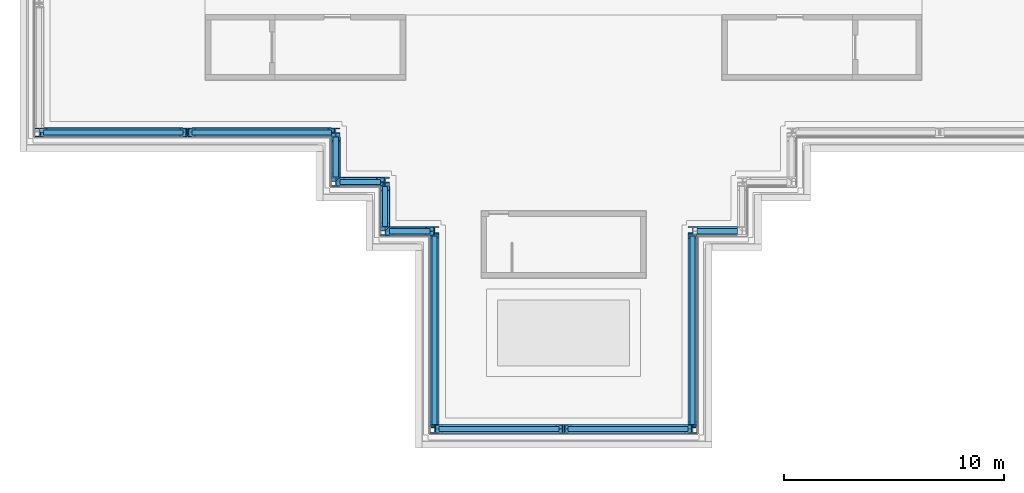
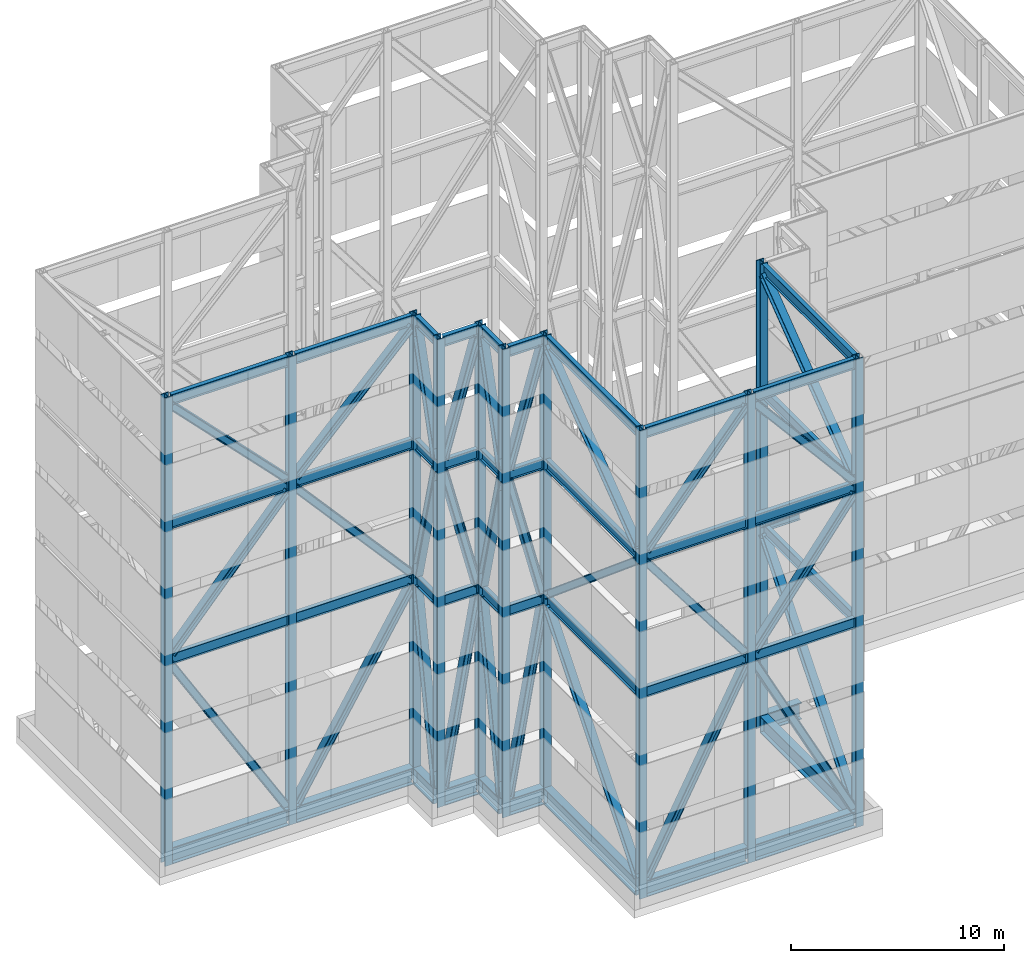
# One storey, part 1 of 19: 84 members.
"""IFC4 building model written with IfcOpenShell, lengths in metres."""

import ifcopenshell
import ifcopenshell.guid

model = None  # the IFC model being written
_history = None  # IfcOwnerHistory: only IFC2X3 demands one
_inside = {}  # id of a spatial element -> (the spatial element, [elements in it])
_under = {}  # id of a project, library or spatial element -> (it, [spatial elements below it])
_declared = {}  # id of a project -> (the project, [libraries it declares])
_typed = {}  # id of a type object -> (the type object, [elements of that type])
_made_of = {}  # id of a material, layer set ... -> (it, [elements and type objects made of it])


def new_model(schema):
    """Start an empty IFC model of exactly this schema.

    Asked for "IFC4X3", IfcOpenShell would pick the latest addendum, in which some entities
    have other attributes; the version numbers below select the first issue.
    IFC2X3 requires an IfcOwnerHistory on every rooted entity: one is made here for all.
    """
    global model, _history
    if schema == "IFC4X3":
        model = ifcopenshell.file(schema_version=(4, 3, 0, 0))
    else:
        model = ifcopenshell.file(schema=schema)
    _inside.clear()
    _under.clear()
    _declared.clear()
    _typed.clear()
    _made_of.clear()
    _history = None
    if model.schema == "IFC2X3":
        org = make("IfcOrganization", Name="unknown")
        user = make(
            "IfcPersonAndOrganization",
            ThePerson=make("IfcPerson", FamilyName="unknown"),
            TheOrganization=org,
        )
        app = make(
            "IfcApplication",
            ApplicationDeveloper=org,
            Version="unknown",
            ApplicationFullName="unknown",
            ApplicationIdentifier="unknown",
        )
        _history = make(
            "IfcOwnerHistory",
            OwningUser=user,
            OwningApplication=app,
            ChangeAction="ADDED",
            CreationDate=0,
        )
    return model


def make(cls, **values):
    """One entity of the class cls with the attributes given. An attribute that is None is left unset."""
    return model.create_entity(
        cls, **{name: value for name, value in values.items() if value is not None}
    )


def rooted(cls, **values):
    """An entity with a GlobalId (a new one), such as an element, a storey or a relation."""
    return make(cls, GlobalId=ifcopenshell.guid.new(), OwnerHistory=_history, **values)


def si_unit(unit_type, name, prefix=None):
    """IfcSIUnit, for example si_unit("LENGTHUNIT", "METRE", prefix="MILLI")."""
    return make("IfcSIUnit", UnitType=unit_type, Prefix=prefix, Name=name)


def assignment(units):
    """IfcUnitAssignment: the units of a project."""
    return None if units is None else make("IfcUnitAssignment", Units=units)


def point(xyz):
    """IfcCartesianPoint."""
    return None if xyz is None else make("IfcCartesianPoint", Coordinates=xyz)


def direction(xyz):
    """IfcDirection."""
    return None if xyz is None else make("IfcDirection", DirectionRatios=xyz)


def frame(location, z_axis=None, x_axis=None):
    """IfcAxis2Placement3D, a coordinate frame: its origin and axes. An axis left out is left unset."""
    return make(
        "IfcAxis2Placement3D",
        Location=point(location),
        Axis=direction(z_axis),
        RefDirection=direction(x_axis),
    )


def frame_2d(location, x_axis=None):
    """IfcAxis2Placement2D, a coordinate frame in the plane: its origin and x axis."""
    return make(
        "IfcAxis2Placement2D", Location=point(location), RefDirection=direction(x_axis)
    )


def origin():
    """The frame at (0, 0, 0) with its axes left unset."""
    return frame((0.0, 0.0, 0.0))


def origin_2d():
    """The frame at (0, 0) in the plane with its x axis left unset."""
    return frame_2d((0.0, 0.0))


def place(relative_to, where):
    """IfcLocalPlacement: puts the frame where relative to a parent placement (None: the world)."""
    return make(
        "IfcLocalPlacement", PlacementRelTo=relative_to, RelativePlacement=where
    )


def context(
    kind, dimensions, precision=None, world=None, true_north=None, identifier=None
):
    """IfcGeometricRepresentationContext, for example the 3D "Model" context."""
    return make(
        "IfcGeometricRepresentationContext",
        ContextIdentifier=identifier,
        ContextType=kind,
        CoordinateSpaceDimension=dimensions,
        Precision=precision,
        WorldCoordinateSystem=world,
        TrueNorth=true_north,
    )


def subcontext(parent, identifier, kind, view, scale=None):
    """IfcGeometricRepresentationSubContext, for example "Body" below "Model"."""
    return make(
        "IfcGeometricRepresentationSubContext",
        ContextIdentifier=identifier,
        ContextType=kind,
        ParentContext=parent,
        TargetScale=scale,
        TargetView=view,
    )


def project(units=None, contexts=None):
    """IfcProject with its units and contexts."""
    return rooted(
        "IfcProject",
        Name="project",
        RepresentationContexts=contexts,
        UnitsInContext=assignment(units),
    )


def spatial(cls, under=None, at=None, **own):
    """A site, building, storey or space (cls), placed at a placement, below another one or the project."""
    s = rooted(cls, ObjectPlacement=at, **own)
    if under is not None:
        _under.setdefault(under.id(), (under, []))[1].append(s)
    return s


def profile(cls, at=None, kind="AREA", **sizes):
    """A parametric profile (cls). Its sizes go by their IFC names, for example OverallWidth=200.0."""
    return make(cls, ProfileType=kind, Position=at, **sizes)


def i_section(**sizes):
    """IfcIShapeProfileDef."""
    return profile("IfcIShapeProfileDef", **sizes)


def extrude(swept, where, along, depth):
    """IfcExtrudedAreaSolid: the profile swept, set in the frame where, extruded along a direction by depth."""
    return make(
        "IfcExtrudedAreaSolid",
        SweptArea=swept,
        Position=where,
        ExtrudedDirection=direction(along),
        Depth=depth,
    )


def shape(context_of_items, identifier, shape_type, items):
    """IfcShapeRepresentation: the items that make up one representation, for example the "Body"."""
    return make(
        "IfcShapeRepresentation",
        ContextOfItems=context_of_items,
        RepresentationIdentifier=identifier,
        RepresentationType=shape_type,
        Items=items,
    )


def material(Name=None, Category=None):
    """IfcMaterial."""
    return make("IfcMaterial", Name=Name, Category=Category)


def material_profile(
    of_material, cross_section, Name=None, Category=None, Priority=None
):
    """IfcMaterialProfile: a cross section and its material."""
    return make(
        "IfcMaterialProfile",
        Name=Name,
        Material=of_material,
        Profile=cross_section,
        Priority=Priority,
        Category=Category,
    )


def profile_set(profiles, Name=None, composite=None):
    """IfcMaterialProfileSet."""
    return make(
        "IfcMaterialProfileSet",
        Name=Name,
        MaterialProfiles=profiles,
        CompositeProfile=composite,
    )


def made_of(thing, what):
    """Note that an element or type object is made of a material, layer set ...; save() writes the relation."""
    if what is not None:
        _made_of.setdefault(what.id(), (what, []))[1].append(thing)
    return thing


def type_object(cls, material=None, **own):
    """A type object (cls), such as IfcWallType, which elements share."""
    return made_of(rooted(cls, **own), material)


def element(
    cls,
    number,
    at=None,
    inside=None,
    cuts=None,
    type_object=None,
    material=None,
    context=None,
    identifier="Body",
    shape_type=None,
    held_by="IfcProductDefinitionShape",
    body=None,
    shapes=None,
    **own,
):
    """One element of the class cls, such as IfcWall. Its Tag is "e" and its number.

    at: its placement. inside: the storey or other place that contains it. cuts: it is an
    opening in that element (IfcRelVoidsElement). A single representation is given by context,
    identifier, shape_type and body (its items); several are given by shapes. held_by: the class
    of the entity that holds the representations. save() writes the other relations.
    """
    e = rooted(cls, Tag="e%d" % number, ObjectPlacement=at, **own)
    if body is not None:
        shapes = [shape(context, identifier, shape_type, body)]
    if shapes is not None:
        e.Representation = make(held_by, Representations=shapes)
    if inside is not None:
        _inside.setdefault(inside.id(), (inside, []))[1].append(e)
    if cuts is not None:
        rooted(
            "IfcRelVoidsElement", RelatingBuildingElement=cuts, RelatedOpeningElement=e
        )
    if type_object is not None:
        _typed.setdefault(type_object.id(), (type_object, []))[1].append(e)
    return made_of(e, material)


def aggregate(whole, parts):
    """IfcRelAggregates: a whole, such as a stair, and the parts it consists of."""
    return rooted("IfcRelAggregates", RelatingObject=whole, RelatedObjects=parts)


def save(model, path):
    """Write the relations noted so far, then the file.

    IfcRelAggregates (storeys below a building ...), IfcRelContainedInSpatialStructure (elements
    in a storey), IfcRelDefinesByType, IfcRelAssociatesMaterial and IfcRelDeclares: one each for
    every whole, place, type object, material and project.
    """
    for whole, parts in _under.values():
        aggregate(whole, parts)
    for where, things in _inside.values():
        rooted(
            "IfcRelContainedInSpatialStructure",
            RelatedElements=things,
            RelatingStructure=where,
        )
    for kind, things in _typed.values():
        rooted("IfcRelDefinesByType", RelatedObjects=things, RelatingType=kind)
    for what, things in _made_of.values():
        rooted("IfcRelAssociatesMaterial", RelatedObjects=things, RelatingMaterial=what)
    for by, libraries in _declared.values():
        rooted("IfcRelDeclares", RelatingContext=by, RelatedDefinitions=libraries)
    model.write(path)


model = new_model("IFC4")

# Units and contexts
model_context = context("Model", 3, precision=1e-05, world=origin(), true_north=direction((0.0, 1.0)))
body_context = subcontext(model_context, "Body", "Model", "MODEL_VIEW")
ifc_project = project(units=[si_unit("LENGTHUNIT", "METRE"), si_unit("AREAUNIT", "SQUARE_METRE"), si_unit("VOLUMEUNIT", "CUBIC_METRE"), si_unit("PLANEANGLEUNIT", "RADIAN"), si_unit("MASSUNIT", "GRAM", prefix="KILO")], contexts=[model_context])

# Site, building, storey
site_placement = place(None, origin())
site = spatial("IfcSite", under=ifc_project, at=site_placement, CompositionType="ELEMENT")
building_placement = place(site_placement, origin())
building = spatial("IfcBuilding", under=site, at=building_placement, Name="Shamsa Quay Exchange Towers", CompositionType="ELEMENT")
storey_placement = place(building_placement, frame((0.0, 0.0, 284.300048828125)))
storey = spatial("IfcBuildingStorey", under=building, at=storey_placement, Name="Roof", CompositionType="ELEMENT", Elevation=284.300048828125)

# Members
ifc_material = material(Name="Steel S355", Category="steel")
ifc_material_profile_1 = material_profile(ifc_material, i_section(OverallWidth=0.423095703125, OverallDepth=0.947265625, WebThickness=0.02392578125, FlangeThickness=0.042724609375, at=origin_2d()), Name="W36x302")
ifc_profile_set_1 = profile_set([ifc_material_profile_1], Name="Steel S355")
member_type_1 = type_object("IfcMemberType", Name="Crown frame base ring girder W36x302", PredefinedType="USERDEFINED", material=ifc_profile_set_1)
for number, where, z_axis, x_axis, name in (
    (1, (-39.421875, -19.375, 0.4736328125), (1.0, 0.0, 0.0), (0.0, 1.0, 0.0), "Crown frame base ring girder T1"),
    (2, (-33.546875, -19.375, 0.4736328125), (1.0, 0.0, 0.0), (0.0, 1.0, 0.0), "Crown frame base ring girder T1"),
):
    element("IfcMember", number, at=place(storey_placement, frame(where, z_axis=z_axis, x_axis=x_axis)), inside=storey, type_object=member_type_1, Name=name, ObjectType="CROWN FRAME", PredefinedType="USERDEFINED", context=body_context, shape_type="SweptSolid", body=[
        extrude(i_section(OverallWidth=0.423095703125, OverallDepth=0.947265625, WebThickness=0.02392578125, FlangeThickness=0.042724609375, at=origin_2d()), origin(), (0.0, 0.0, 1.0), 5.46875),
    ])
member_1_placement = place(storey_placement, frame((-27.875, -19.1669921875, 0.4736328125), z_axis=(0.0, 1.0, 0.0), x_axis=(-1.0, 0.0, 0.0)))
element("IfcMember", 3, at=member_1_placement, inside=storey, type_object=member_type_1, Name="Crown frame base ring girder T1", ObjectType="CROWN FRAME", PredefinedType="USERDEFINED", context=body_context, shape_type="SweptSolid", body=[
    extrude(i_section(OverallWidth=0.423095703125, OverallDepth=0.947265625, WebThickness=0.02392578125, FlangeThickness=0.042724609375, at=origin_2d()), origin(), (0.0, 0.0, 1.0), 8.583984375),
])
member_2_placement = place(storey_placement, frame((-27.671875, -10.375, 0.4736328125), z_axis=(1.0, 0.0, 0.0), x_axis=(0.0, 1.0, 0.0)))
element("IfcMember", 4, at=member_2_placement, inside=storey, type_object=member_type_1, Name="Crown frame base ring girder T1", ObjectType="CROWN FRAME", PredefinedType="USERDEFINED", context=body_context, shape_type="SweptSolid", body=[
    extrude(i_section(OverallWidth=0.423095703125, OverallDepth=0.947265625, WebThickness=0.02392578125, FlangeThickness=0.042724609375, at=origin_2d()), origin(), (0.0, 0.0, 1.0), 1.84375),
])
for number, where, z_axis, x_axis, name in (
    (5, (-57.421875, -5.875, 0.4736328125), (1.0, 0.0, 0.0), (0.0, 1.0, 0.0), "Crown frame base ring girder T1"),
    (6, (-50.671875, -5.875, 0.4736328125), (1.0, 0.0, 0.0), (0.0, 1.0, 0.0), "Crown frame base ring girder T1"),
):
    element("IfcMember", number, at=place(storey_placement, frame(where, z_axis=z_axis, x_axis=x_axis)), inside=storey, type_object=member_type_1, Name=name, ObjectType="CROWN FRAME", PredefinedType="USERDEFINED", context=body_context, shape_type="SweptSolid", body=[
        extrude(i_section(OverallWidth=0.423095703125, OverallDepth=0.947265625, WebThickness=0.02392578125, FlangeThickness=0.042724609375, at=origin_2d()), origin(), (0.0, 0.0, 1.0), 6.34375),
    ])
member_3_placement = place(storey_placement, frame((-44.125, -6.0830078125, 0.4736328125), z_axis=(0.0, -1.0, 0.0), x_axis=(1.0, 0.0, 0.0)))
element("IfcMember", 7, at=member_3_placement, inside=storey, type_object=member_type_1, Name="Crown frame base ring girder T1", ObjectType="CROWN FRAME", PredefinedType="USERDEFINED", context=body_context, shape_type="SweptSolid", body=[
    extrude(i_section(OverallWidth=0.423095703125, OverallDepth=0.947265625, WebThickness=0.02392578125, FlangeThickness=0.042724609375, at=origin_2d()), origin(), (0.0, 0.0, 1.0), 1.833984375),
])
member_4_placement = place(storey_placement, frame((-43.921875, -8.125, 0.4736328125), z_axis=(1.0, 0.0, 0.0), x_axis=(0.0, 1.0, 0.0)))
element("IfcMember", 8, at=member_4_placement, inside=storey, type_object=member_type_1, Name="Crown frame base ring girder T1", ObjectType="CROWN FRAME", PredefinedType="USERDEFINED", context=body_context, shape_type="SweptSolid", body=[
    extrude(i_section(OverallWidth=0.423095703125, OverallDepth=0.947265625, WebThickness=0.02392578125, FlangeThickness=0.042724609375, at=origin_2d()), origin(), (0.0, 0.0, 1.0), 1.84375),
])
member_5_placement = place(storey_placement, frame((-41.875, -8.3330078125, 0.4736328125), z_axis=(0.0, -1.0, 0.0), x_axis=(1.0, 0.0, 0.0)))
element("IfcMember", 9, at=member_5_placement, inside=storey, type_object=member_type_1, Name="Crown frame base ring girder T1", ObjectType="CROWN FRAME", PredefinedType="USERDEFINED", context=body_context, shape_type="SweptSolid", body=[
    extrude(i_section(OverallWidth=0.423095703125, OverallDepth=0.947265625, WebThickness=0.02392578125, FlangeThickness=0.042724609375, at=origin_2d()), origin(), (0.0, 0.0, 1.0), 1.833984375),
])
member_6_placement = place(storey_placement, frame((-41.671875, -10.375, 0.4736328125), z_axis=(1.0, 0.0, 0.0), x_axis=(0.0, 1.0, 0.0)))
element("IfcMember", 10, at=member_6_placement, inside=storey, type_object=member_type_1, Name="Crown frame base ring girder T1", ObjectType="CROWN FRAME", PredefinedType="USERDEFINED", context=body_context, shape_type="SweptSolid", body=[
    extrude(i_section(OverallWidth=0.423095703125, OverallDepth=0.947265625, WebThickness=0.02392578125, FlangeThickness=0.042724609375, at=origin_2d()), origin(), (0.0, 0.0, 1.0), 1.84375),
])
member_7_placement = place(storey_placement, frame((-39.625, -10.5830078125, 0.4736328125), z_axis=(0.0, -1.0, 0.0), x_axis=(1.0, 0.0, 0.0)))
element("IfcMember", 11, at=member_7_placement, inside=storey, type_object=member_type_1, Name="Crown frame base ring girder T1", ObjectType="CROWN FRAME", PredefinedType="USERDEFINED", context=body_context, shape_type="SweptSolid", body=[
    extrude(i_section(OverallWidth=0.423095703125, OverallDepth=0.947265625, WebThickness=0.02392578125, FlangeThickness=0.042724609375, at=origin_2d()), origin(), (0.0, 0.0, 1.0), 8.583984375),
])
ifc_material_profile_2 = material_profile(ifc_material, i_section(OverallWidth=0.403564453125, OverallDepth=0.407470703125, WebThickness=0.027099609375, FlangeThickness=0.043701171875, at=origin_2d()), Name="W14x233")
ifc_profile_set_2 = profile_set([ifc_material_profile_2], Name="Steel S355")
member_type_2 = type_object("IfcMemberType", Name="Crown frame brace W14x233", PredefinedType="USERDEFINED", material=ifc_profile_set_2)
member_8_placement = place(storey_placement, frame((-39.421875, -19.375, 0.947265625), z_axis=(0.46379112615, 0.0, 0.885944575752), x_axis=(0.0, 1.0, 0.0)))
element("IfcMember", 12, at=member_8_placement, inside=storey, type_object=member_type_2, Name="Crown frame brace T1", ObjectType="CROWN FRAME", PredefinedType="USERDEFINED", context=body_context, shape_type="SweptSolid", body=[
    extrude(i_section(OverallWidth=0.403564453125, OverallDepth=0.407470703125, WebThickness=0.027099609375, FlangeThickness=0.043701171875, at=origin_2d()), origin(), (0.0, 0.0, 1.0), 11.79150390625),
])
member_9_placement = place(storey_placement, frame((-39.421875, -19.375, 19.19384765625), z_axis=(0.605508806079, 0.0, -0.795838605347), x_axis=(0.0, 1.0, 0.0)))
element("IfcMember", 13, at=member_9_placement, inside=storey, type_object=member_type_2, Name="Crown frame brace T1", ObjectType="CROWN FRAME", PredefinedType="USERDEFINED", context=body_context, shape_type="SweptSolid", body=[
    extrude(i_section(OverallWidth=0.403564453125, OverallDepth=0.407470703125, WebThickness=0.027099609375, FlangeThickness=0.043701171875, at=origin_2d()), origin(), (0.0, 0.0, 1.0), 9.03173828125),
])
member_10_placement = place(storey_placement, frame((-39.421875, -19.375, 19.805908203125), z_axis=(0.644844663681, 0.0, 0.764313652712), x_axis=(0.0, 1.0, 0.0)))
element("IfcMember", 14, at=member_10_placement, inside=storey, type_object=member_type_2, Name="Crown frame brace T1", ObjectType="CROWN FRAME", PredefinedType="USERDEFINED", context=body_context, shape_type="SweptSolid", body=[
    extrude(i_section(OverallWidth=0.403564453125, OverallDepth=0.407470703125, WebThickness=0.027099609375, FlangeThickness=0.043701171875, at=origin_2d()), origin(), (0.0, 0.0, 1.0), 8.480712890625),
])
member_11_placement = place(storey_placement, frame((-33.546875, -19.375, 11.393798828125), z_axis=(0.46379112615, 0.0, -0.885944575752), x_axis=(0.0, 1.0, 0.0)))
element("IfcMember", 15, at=member_11_placement, inside=storey, type_object=member_type_2, Name="Crown frame brace T1", ObjectType="CROWN FRAME", PredefinedType="USERDEFINED", context=body_context, shape_type="SweptSolid", body=[
    extrude(i_section(OverallWidth=0.403564453125, OverallDepth=0.407470703125, WebThickness=0.027099609375, FlangeThickness=0.043701171875, at=origin_2d()), origin(), (0.0, 0.0, 1.0), 11.79150390625),
])
member_12_placement = place(storey_placement, frame((-33.546875, -19.375, 12.006103515625), z_axis=(0.605508806079, 0.0, 0.795838605347), x_axis=(0.0, 1.0, 0.0)))
element("IfcMember", 16, at=member_12_placement, inside=storey, type_object=member_type_2, Name="Crown frame brace T1", ObjectType="CROWN FRAME", PredefinedType="USERDEFINED", context=body_context, shape_type="SweptSolid", body=[
    extrude(i_section(OverallWidth=0.403564453125, OverallDepth=0.407470703125, WebThickness=0.027099609375, FlangeThickness=0.043701171875, at=origin_2d()), origin(), (0.0, 0.0, 1.0), 9.03173828125),
])
member_13_placement = place(storey_placement, frame((-33.546875, -19.375, 26.287841796875), z_axis=(0.644844663681, 0.0, -0.764313652712), x_axis=(0.0, 1.0, 0.0)))
element("IfcMember", 17, at=member_13_placement, inside=storey, type_object=member_type_2, Name="Crown frame brace T1", ObjectType="CROWN FRAME", PredefinedType="USERDEFINED", context=body_context, shape_type="SweptSolid", body=[
    extrude(i_section(OverallWidth=0.403564453125, OverallDepth=0.407470703125, WebThickness=0.027099609375, FlangeThickness=0.043701171875, at=origin_2d()), origin(), (0.0, 0.0, 1.0), 8.480712890625),
])
member_14_placement = place(storey_placement, frame((-27.875, -19.1669921875, 0.947265625), z_axis=(0.0, 0.634867639372, 0.772620916413), x_axis=(-1.0, 0.0, 0.0)))
element("IfcMember", 18, at=member_14_placement, inside=storey, type_object=member_type_2, Name="Crown frame brace T1", ObjectType="CROWN FRAME", PredefinedType="USERDEFINED", context=body_context, shape_type="SweptSolid", body=[
    extrude(i_section(OverallWidth=0.403564453125, OverallDepth=0.407470703125, WebThickness=0.027099609375, FlangeThickness=0.043701171875, at=origin_2d()), origin(), (0.0, 0.0, 1.0), 13.52099609375),
])
member_15_placement = place(storey_placement, frame((-27.875, -19.1669921875, 19.19384765625), z_axis=(0.0, 0.766706999724, -0.641997178011), x_axis=(-1.0, 0.0, 0.0)))
element("IfcMember", 19, at=member_15_placement, inside=storey, type_object=member_type_2, Name="Crown frame brace T1", ObjectType="CROWN FRAME", PredefinedType="USERDEFINED", context=body_context, shape_type="SweptSolid", body=[
    extrude(i_section(OverallWidth=0.403564453125, OverallDepth=0.407470703125, WebThickness=0.027099609375, FlangeThickness=0.043701171875, at=origin_2d()), origin(), (0.0, 0.0, 1.0), 11.19580078125),
])
member_16_placement = place(storey_placement, frame((-27.875, -19.1669921875, 19.805908203125), z_axis=(0.0, 0.798034686142, 0.602611516413), x_axis=(-1.0, 0.0, 0.0)))
element("IfcMember", 20, at=member_16_placement, inside=storey, type_object=member_type_2, Name="Crown frame brace T1", ObjectType="CROWN FRAME", PredefinedType="USERDEFINED", context=body_context, shape_type="SweptSolid", body=[
    extrude(i_section(OverallWidth=0.403564453125, OverallDepth=0.407470703125, WebThickness=0.027099609375, FlangeThickness=0.043701171875, at=origin_2d()), origin(), (0.0, 0.0, 1.0), 10.75634765625),
])
member_17_placement = place(storey_placement, frame((-57.421875, -5.875, 11.393798828125), z_axis=(0.519050588784, 0.0, -0.854743520761), x_axis=(0.0, 1.0, 0.0)))
element("IfcMember", 21, at=member_17_placement, inside=storey, type_object=member_type_2, Name="Crown frame brace T1", ObjectType="CROWN FRAME", PredefinedType="USERDEFINED", context=body_context, shape_type="SweptSolid", body=[
    extrude(i_section(OverallWidth=0.403564453125, OverallDepth=0.407470703125, WebThickness=0.027099609375, FlangeThickness=0.043701171875, at=origin_2d()), origin(), (0.0, 0.0, 1.0), 12.221923828125),
])
member_18_placement = place(storey_placement, frame((-57.421875, -5.875, 12.006103515625), z_axis=(0.661716808405, 0.0, 0.74975386993), x_axis=(0.0, 1.0, 0.0)))
element("IfcMember", 22, at=member_18_placement, inside=storey, type_object=member_type_2, Name="Crown frame brace T1", ObjectType="CROWN FRAME", PredefinedType="USERDEFINED", context=body_context, shape_type="SweptSolid", body=[
    extrude(i_section(OverallWidth=0.403564453125, OverallDepth=0.407470703125, WebThickness=0.027099609375, FlangeThickness=0.043701171875, at=origin_2d()), origin(), (0.0, 0.0, 1.0), 9.5869140625),
])
member_19_placement = place(storey_placement, frame((-57.421875, -5.875, 26.287841796875), z_axis=(0.699447836177, 0.0, -0.714683653421), x_axis=(0.0, 1.0, 0.0)))
element("IfcMember", 23, at=member_19_placement, inside=storey, type_object=member_type_2, Name="Crown frame brace T1", ObjectType="CROWN FRAME", PredefinedType="USERDEFINED", context=body_context, shape_type="SweptSolid", body=[
    extrude(i_section(OverallWidth=0.403564453125, OverallDepth=0.407470703125, WebThickness=0.027099609375, FlangeThickness=0.043701171875, at=origin_2d()), origin(), (0.0, 0.0, 1.0), 9.069580078125),
])
member_20_placement = place(storey_placement, frame((-50.671875, -5.875, 0.947265625), z_axis=(0.519050588784, 0.0, 0.854743520761), x_axis=(0.0, 1.0, 0.0)))
element("IfcMember", 24, at=member_20_placement, inside=storey, type_object=member_type_2, Name="Crown frame brace T1", ObjectType="CROWN FRAME", PredefinedType="USERDEFINED", context=body_context, shape_type="SweptSolid", body=[
    extrude(i_section(OverallWidth=0.403564453125, OverallDepth=0.407470703125, WebThickness=0.027099609375, FlangeThickness=0.043701171875, at=origin_2d()), origin(), (0.0, 0.0, 1.0), 12.221923828125),
])
member_21_placement = place(storey_placement, frame((-50.671875, -5.875, 19.19384765625), z_axis=(0.661716808405, 0.0, -0.74975386993), x_axis=(0.0, 1.0, 0.0)))
element("IfcMember", 25, at=member_21_placement, inside=storey, type_object=member_type_2, Name="Crown frame brace T1", ObjectType="CROWN FRAME", PredefinedType="USERDEFINED", context=body_context, shape_type="SweptSolid", body=[
    extrude(i_section(OverallWidth=0.403564453125, OverallDepth=0.407470703125, WebThickness=0.027099609375, FlangeThickness=0.043701171875, at=origin_2d()), origin(), (0.0, 0.0, 1.0), 9.5869140625),
])
member_22_placement = place(storey_placement, frame((-50.671875, -5.875, 19.805908203125), z_axis=(0.699447836177, 0.0, 0.714683653421), x_axis=(0.0, 1.0, 0.0)))
element("IfcMember", 26, at=member_22_placement, inside=storey, type_object=member_type_2, Name="Crown frame brace T1", ObjectType="CROWN FRAME", PredefinedType="USERDEFINED", context=body_context, shape_type="SweptSolid", body=[
    extrude(i_section(OverallWidth=0.403564453125, OverallDepth=0.407470703125, WebThickness=0.027099609375, FlangeThickness=0.043701171875, at=origin_2d()), origin(), (0.0, 0.0, 1.0), 9.069580078125),
])
member_23_placement = place(storey_placement, frame((-44.125, -6.0830078125, 11.393798828125), z_axis=(0.0, -0.17291465847, -0.984936810606), x_axis=(1.0, 0.0, 0.0)))
element("IfcMember", 27, at=member_23_placement, inside=storey, type_object=member_type_2, Name="Crown frame brace T1", ObjectType="CROWN FRAME", PredefinedType="USERDEFINED", context=body_context, shape_type="SweptSolid", body=[
    extrude(i_section(OverallWidth=0.403564453125, OverallDepth=0.407470703125, WebThickness=0.027099609375, FlangeThickness=0.043701171875, at=origin_2d()), origin(), (0.0, 0.0, 1.0), 10.606201171875),
])
member_24_placement = place(storey_placement, frame((-44.125, -6.0830078125, 12.006103515625), z_axis=(0.0, -0.247233355894, 0.968955967902), x_axis=(1.0, 0.0, 0.0)))
element("IfcMember", 28, at=member_24_placement, inside=storey, type_object=member_type_2, Name="Crown frame brace T1", ObjectType="CROWN FRAME", PredefinedType="USERDEFINED", context=body_context, shape_type="SweptSolid", body=[
    extrude(i_section(OverallWidth=0.403564453125, OverallDepth=0.407470703125, WebThickness=0.027099609375, FlangeThickness=0.043701171875, at=origin_2d()), origin(), (0.0, 0.0, 1.0), 7.41796875),
])
member_25_placement = place(storey_placement, frame((-44.125, -6.0830078125, 26.287841796875), z_axis=(0.0, -0.272250291508, -0.962226469587), x_axis=(1.0, 0.0, 0.0)))
element("IfcMember", 29, at=member_25_placement, inside=storey, type_object=member_type_2, Name="Crown frame brace T1", ObjectType="CROWN FRAME", PredefinedType="USERDEFINED", context=body_context, shape_type="SweptSolid", body=[
    extrude(i_section(OverallWidth=0.403564453125, OverallDepth=0.407470703125, WebThickness=0.027099609375, FlangeThickness=0.043701171875, at=origin_2d()), origin(), (0.0, 0.0, 1.0), 6.736328125),
])
member_26_placement = place(storey_placement, frame((-43.921875, -8.125, 0.947265625), z_axis=(0.173807653572, 0.0, 0.984779619793), x_axis=(0.0, 1.0, 0.0)))
element("IfcMember", 30, at=member_26_placement, inside=storey, type_object=member_type_2, Name="Crown frame brace T1", ObjectType="CROWN FRAME", PredefinedType="USERDEFINED", context=body_context, shape_type="SweptSolid", body=[
    extrude(i_section(OverallWidth=0.403564453125, OverallDepth=0.407470703125, WebThickness=0.027099609375, FlangeThickness=0.043701171875, at=origin_2d()), origin(), (0.0, 0.0, 1.0), 10.60791015625),
])
member_27_placement = place(storey_placement, frame((-43.921875, -8.125, 19.19384765625), z_axis=(0.248468754818, 0.0, -0.96863991136), x_axis=(0.0, 1.0, 0.0)))
element("IfcMember", 31, at=member_27_placement, inside=storey, type_object=member_type_2, Name="Crown frame brace T1", ObjectType="CROWN FRAME", PredefinedType="USERDEFINED", context=body_context, shape_type="SweptSolid", body=[
    extrude(i_section(OverallWidth=0.403564453125, OverallDepth=0.407470703125, WebThickness=0.027099609375, FlangeThickness=0.043701171875, at=origin_2d()), origin(), (0.0, 0.0, 1.0), 7.42041015625),
])
member_28_placement = place(storey_placement, frame((-43.921875, -8.125, 19.805908203125), z_axis=(0.27359172731, 0.0, 0.961845916323), x_axis=(0.0, 1.0, 0.0)))
element("IfcMember", 32, at=member_28_placement, inside=storey, type_object=member_type_2, Name="Crown frame brace T1", ObjectType="CROWN FRAME", PredefinedType="USERDEFINED", context=body_context, shape_type="SweptSolid", body=[
    extrude(i_section(OverallWidth=0.403564453125, OverallDepth=0.407470703125, WebThickness=0.027099609375, FlangeThickness=0.043701171875, at=origin_2d()), origin(), (0.0, 0.0, 1.0), 6.739013671875),
])
member_29_placement = place(storey_placement, frame((-41.875, -8.3330078125, 11.393798828125), z_axis=(0.0, -0.17291465847, -0.984936810606), x_axis=(1.0, 0.0, 0.0)))
element("IfcMember", 33, at=member_29_placement, inside=storey, type_object=member_type_2, Name="Crown frame brace T1", ObjectType="CROWN FRAME", PredefinedType="USERDEFINED", context=body_context, shape_type="SweptSolid", body=[
    extrude(i_section(OverallWidth=0.403564453125, OverallDepth=0.407470703125, WebThickness=0.027099609375, FlangeThickness=0.043701171875, at=origin_2d()), origin(), (0.0, 0.0, 1.0), 10.606201171875),
])
member_30_placement = place(storey_placement, frame((-41.875, -8.3330078125, 12.006103515625), z_axis=(0.0, -0.247233355894, 0.968955967902), x_axis=(1.0, 0.0, 0.0)))
element("IfcMember", 34, at=member_30_placement, inside=storey, type_object=member_type_2, Name="Crown frame brace T1", ObjectType="CROWN FRAME", PredefinedType="USERDEFINED", context=body_context, shape_type="SweptSolid", body=[
    extrude(i_section(OverallWidth=0.403564453125, OverallDepth=0.407470703125, WebThickness=0.027099609375, FlangeThickness=0.043701171875, at=origin_2d()), origin(), (0.0, 0.0, 1.0), 7.41796875),
])
member_31_placement = place(storey_placement, frame((-41.875, -8.3330078125, 26.287841796875), z_axis=(0.0, -0.272250291508, -0.962226469587), x_axis=(1.0, 0.0, 0.0)))
element("IfcMember", 35, at=member_31_placement, inside=storey, type_object=member_type_2, Name="Crown frame brace T1", ObjectType="CROWN FRAME", PredefinedType="USERDEFINED", context=body_context, shape_type="SweptSolid", body=[
    extrude(i_section(OverallWidth=0.403564453125, OverallDepth=0.407470703125, WebThickness=0.027099609375, FlangeThickness=0.043701171875, at=origin_2d()), origin(), (0.0, 0.0, 1.0), 6.736328125),
])
member_32_placement = place(storey_placement, frame((-41.671875, -10.375, 0.947265625), z_axis=(0.173807653572, 0.0, 0.984779619793), x_axis=(0.0, 1.0, 0.0)))
element("IfcMember", 36, at=member_32_placement, inside=storey, type_object=member_type_2, Name="Crown frame brace T1", ObjectType="CROWN FRAME", PredefinedType="USERDEFINED", context=body_context, shape_type="SweptSolid", body=[
    extrude(i_section(OverallWidth=0.403564453125, OverallDepth=0.407470703125, WebThickness=0.027099609375, FlangeThickness=0.043701171875, at=origin_2d()), origin(), (0.0, 0.0, 1.0), 10.60791015625),
])
member_33_placement = place(storey_placement, frame((-41.671875, -10.375, 19.19384765625), z_axis=(0.248468754818, 0.0, -0.96863991136), x_axis=(0.0, 1.0, 0.0)))
element("IfcMember", 37, at=member_33_placement, inside=storey, type_object=member_type_2, Name="Crown frame brace T1", ObjectType="CROWN FRAME", PredefinedType="USERDEFINED", context=body_context, shape_type="SweptSolid", body=[
    extrude(i_section(OverallWidth=0.403564453125, OverallDepth=0.407470703125, WebThickness=0.027099609375, FlangeThickness=0.043701171875, at=origin_2d()), origin(), (0.0, 0.0, 1.0), 7.42041015625),
])
member_34_placement = place(storey_placement, frame((-41.671875, -10.375, 19.805908203125), z_axis=(0.27359172731, 0.0, 0.961845916323), x_axis=(0.0, 1.0, 0.0)))
element("IfcMember", 38, at=member_34_placement, inside=storey, type_object=member_type_2, Name="Crown frame brace T1", ObjectType="CROWN FRAME", PredefinedType="USERDEFINED", context=body_context, shape_type="SweptSolid", body=[
    extrude(i_section(OverallWidth=0.403564453125, OverallDepth=0.407470703125, WebThickness=0.027099609375, FlangeThickness=0.043701171875, at=origin_2d()), origin(), (0.0, 0.0, 1.0), 6.739013671875),
])
member_35_placement = place(storey_placement, frame((-39.625, -10.5830078125, 11.393798828125), z_axis=(0.0, -0.634867639372, -0.772620916413), x_axis=(1.0, 0.0, 0.0)))
element("IfcMember", 39, at=member_35_placement, inside=storey, type_object=member_type_2, Name="Crown frame brace T1", ObjectType="CROWN FRAME", PredefinedType="USERDEFINED", context=body_context, shape_type="SweptSolid", body=[
    extrude(i_section(OverallWidth=0.403564453125, OverallDepth=0.407470703125, WebThickness=0.027099609375, FlangeThickness=0.043701171875, at=origin_2d()), origin(), (0.0, 0.0, 1.0), 13.52099609375),
])
member_36_placement = place(storey_placement, frame((-39.625, -10.5830078125, 12.006103515625), z_axis=(0.0, -0.766706999724, 0.641997178011), x_axis=(1.0, 0.0, 0.0)))
element("IfcMember", 40, at=member_36_placement, inside=storey, type_object=member_type_2, Name="Crown frame brace T1", ObjectType="CROWN FRAME", PredefinedType="USERDEFINED", context=body_context, shape_type="SweptSolid", body=[
    extrude(i_section(OverallWidth=0.403564453125, OverallDepth=0.407470703125, WebThickness=0.027099609375, FlangeThickness=0.043701171875, at=origin_2d()), origin(), (0.0, 0.0, 1.0), 11.19580078125),
])
member_37_placement = place(storey_placement, frame((-39.625, -10.5830078125, 26.287841796875), z_axis=(0.0, -0.798034686142, -0.602611516413), x_axis=(1.0, 0.0, 0.0)))
element("IfcMember", 41, at=member_37_placement, inside=storey, type_object=member_type_2, Name="Crown frame brace T1", ObjectType="CROWN FRAME", PredefinedType="USERDEFINED", context=body_context, shape_type="SweptSolid", body=[
    extrude(i_section(OverallWidth=0.403564453125, OverallDepth=0.407470703125, WebThickness=0.027099609375, FlangeThickness=0.043701171875, at=origin_2d()), origin(), (0.0, 0.0, 1.0), 10.75634765625),
])
ifc_material_profile_3 = material_profile(ifc_material, i_section(OverallWidth=0.40625, OverallDepth=0.416015625, WebThickness=0.02978515625, FlangeThickness=0.048095703125, at=origin_2d()), Name="W14x257")
ifc_profile_set_3 = profile_set([ifc_material_profile_3], Name="Steel S355")
member_type_3 = type_object("IfcMemberType", Name="Crown frame post W14x257", PredefinedType="USERDEFINED", material=ifc_profile_set_3)
for number, where, name in (
    (42, (-39.625, -19.375, 0.0), "Crown frame post T1"),
    (43, (-33.75, -19.375, 0.0), "Crown frame post T1"),
    (44, (-27.875, -19.375, 0.0), "Crown frame post T1"),
    (45, (-27.875, -10.375, 0.0), "Crown frame post T1"),
    (46, (-57.625, -5.875, 0.0), "Crown frame post T1"),
    (47, (-50.875, -5.875, 0.0), "Crown frame post T1"),
    (48, (-44.125, -5.875, 0.0), "Crown frame post T1"),
    (49, (-44.125, -8.125, 0.0), "Crown frame post T1"),
    (50, (-41.875, -8.125, 0.0), "Crown frame post T1"),
    (51, (-41.875, -10.375, 0.0), "Crown frame post T1"),
    (52, (-39.625, -10.375, 0.0), "Crown frame post T1"),
):
    element("IfcMember", number, at=place(storey_placement, frame(where)), inside=storey, type_object=member_type_3, Name=name, ObjectType="CROWN FRAME", PredefinedType="USERDEFINED", context=body_context, shape_type="SweptSolid", body=[
        extrude(i_section(OverallWidth=0.40625, OverallDepth=0.416015625, WebThickness=0.02978515625, FlangeThickness=0.048095703125, at=origin_2d()), origin(), (0.0, 0.0, 1.0), 26.89990234375),
    ])
ifc_material_profile_4 = material_profile(ifc_material, i_section(OverallWidth=0.22900390625, OverallDepth=0.612060546875, WebThickness=0.011962890625, FlangeThickness=0.01953125, at=origin_2d()), Name="W24x84")
ifc_profile_set_4 = profile_set([ifc_material_profile_4], Name="Steel S355")
member_type_4 = type_object("IfcMemberType", Name="Crown frame ring beam W24x84", PredefinedType="USERDEFINED", material=ifc_profile_set_4)
for number, where, z_axis, x_axis, name in (
    (53, (-39.421875, -19.375, 11.699951171875), (1.0, 0.0, 0.0), (0.0, 1.0, 0.0), "Crown frame ring beam T1"),
    (54, (-39.421875, -19.375, 19.5), (1.0, 0.0, 0.0), (0.0, 1.0, 0.0), "Crown frame ring beam T1"),
    (55, (-39.421875, -19.375, 26.593994140625), (1.0, 0.0, 0.0), (0.0, 1.0, 0.0), "Crown frame ring beam T1"),
    (56, (-33.546875, -19.375, 11.699951171875), (1.0, 0.0, 0.0), (0.0, 1.0, 0.0), "Crown frame ring beam T1"),
    (57, (-33.546875, -19.375, 19.5), (1.0, 0.0, 0.0), (0.0, 1.0, 0.0), "Crown frame ring beam T1"),
    (58, (-33.546875, -19.375, 26.593994140625), (1.0, 0.0, 0.0), (0.0, 1.0, 0.0), "Crown frame ring beam T1"),
):
    element("IfcMember", number, at=place(storey_placement, frame(where, z_axis=z_axis, x_axis=x_axis)), inside=storey, type_object=member_type_4, Name=name, ObjectType="CROWN FRAME", PredefinedType="USERDEFINED", context=body_context, shape_type="SweptSolid", body=[
        extrude(i_section(OverallWidth=0.22900390625, OverallDepth=0.612060546875, WebThickness=0.011962890625, FlangeThickness=0.01953125, at=origin_2d()), origin(), (0.0, 0.0, 1.0), 5.46875),
    ])
for number, where, z_axis, x_axis, name in (
    (59, (-27.875, -19.1669921875, 11.699951171875), (0.0, 1.0, 0.0), (-1.0, 0.0, 0.0), "Crown frame ring beam T1"),
    (60, (-27.875, -19.1669921875, 19.5), (0.0, 1.0, 0.0), (-1.0, 0.0, 0.0), "Crown frame ring beam T1"),
    (61, (-27.875, -19.1669921875, 26.593994140625), (0.0, 1.0, 0.0), (-1.0, 0.0, 0.0), "Crown frame ring beam T1"),
):
    element("IfcMember", number, at=place(storey_placement, frame(where, z_axis=z_axis, x_axis=x_axis)), inside=storey, type_object=member_type_4, Name=name, ObjectType="CROWN FRAME", PredefinedType="USERDEFINED", context=body_context, shape_type="SweptSolid", body=[
        extrude(i_section(OverallWidth=0.22900390625, OverallDepth=0.612060546875, WebThickness=0.011962890625, FlangeThickness=0.01953125, at=origin_2d()), origin(), (0.0, 0.0, 1.0), 8.583984375),
    ])
for number, where, z_axis, x_axis, name in (
    (62, (-27.671875, -10.375, 11.699951171875), (1.0, 0.0, 0.0), (0.0, 1.0, 0.0), "Crown frame ring beam T1"),
    (63, (-27.671875, -10.375, 19.5), (1.0, 0.0, 0.0), (0.0, 1.0, 0.0), "Crown frame ring beam T1"),
):
    element("IfcMember", number, at=place(storey_placement, frame(where, z_axis=z_axis, x_axis=x_axis)), inside=storey, type_object=member_type_4, Name=name, ObjectType="CROWN FRAME", PredefinedType="USERDEFINED", context=body_context, shape_type="SweptSolid", body=[
        extrude(i_section(OverallWidth=0.22900390625, OverallDepth=0.612060546875, WebThickness=0.011962890625, FlangeThickness=0.01953125, at=origin_2d()), origin(), (0.0, 0.0, 1.0), 1.84375),
    ])
for number, where, z_axis, x_axis, name in (
    (64, (-57.421875, -5.875, 11.699951171875), (1.0, 0.0, 0.0), (0.0, 1.0, 0.0), "Crown frame ring beam T1"),
    (65, (-57.421875, -5.875, 19.5), (1.0, 0.0, 0.0), (0.0, 1.0, 0.0), "Crown frame ring beam T1"),
    (66, (-57.421875, -5.875, 26.593994140625), (1.0, 0.0, 0.0), (0.0, 1.0, 0.0), "Crown frame ring beam T1"),
    (67, (-50.671875, -5.875, 11.699951171875), (1.0, 0.0, 0.0), (0.0, 1.0, 0.0), "Crown frame ring beam T1"),
    (68, (-50.671875, -5.875, 19.5), (1.0, 0.0, 0.0), (0.0, 1.0, 0.0), "Crown frame ring beam T1"),
    (69, (-50.671875, -5.875, 26.593994140625), (1.0, 0.0, 0.0), (0.0, 1.0, 0.0), "Crown frame ring beam T1"),
):
    element("IfcMember", number, at=place(storey_placement, frame(where, z_axis=z_axis, x_axis=x_axis)), inside=storey, type_object=member_type_4, Name=name, ObjectType="CROWN FRAME", PredefinedType="USERDEFINED", context=body_context, shape_type="SweptSolid", body=[
        extrude(i_section(OverallWidth=0.22900390625, OverallDepth=0.612060546875, WebThickness=0.011962890625, FlangeThickness=0.01953125, at=origin_2d()), origin(), (0.0, 0.0, 1.0), 6.34375),
    ])
for number, where, z_axis, x_axis, name in (
    (70, (-44.125, -6.0830078125, 11.699951171875), (0.0, -1.0, 0.0), (1.0, 0.0, 0.0), "Crown frame ring beam T1"),
    (71, (-44.125, -6.0830078125, 19.5), (0.0, -1.0, 0.0), (1.0, 0.0, 0.0), "Crown frame ring beam T1"),
    (72, (-44.125, -6.0830078125, 26.593994140625), (0.0, -1.0, 0.0), (1.0, 0.0, 0.0), "Crown frame ring beam T1"),
):
    element("IfcMember", number, at=place(storey_placement, frame(where, z_axis=z_axis, x_axis=x_axis)), inside=storey, type_object=member_type_4, Name=name, ObjectType="CROWN FRAME", PredefinedType="USERDEFINED", context=body_context, shape_type="SweptSolid", body=[
        extrude(i_section(OverallWidth=0.22900390625, OverallDepth=0.612060546875, WebThickness=0.011962890625, FlangeThickness=0.01953125, at=origin_2d()), origin(), (0.0, 0.0, 1.0), 1.833984375),
    ])
for number, where, z_axis, x_axis, name in (
    (73, (-43.921875, -8.125, 11.699951171875), (1.0, 0.0, 0.0), (0.0, 1.0, 0.0), "Crown frame ring beam T1"),
    (74, (-43.921875, -8.125, 19.5), (1.0, 0.0, 0.0), (0.0, 1.0, 0.0), "Crown frame ring beam T1"),
    (75, (-43.921875, -8.125, 26.593994140625), (1.0, 0.0, 0.0), (0.0, 1.0, 0.0), "Crown frame ring beam T1"),
):
    element("IfcMember", number, at=place(storey_placement, frame(where, z_axis=z_axis, x_axis=x_axis)), inside=storey, type_object=member_type_4, Name=name, ObjectType="CROWN FRAME", PredefinedType="USERDEFINED", context=body_context, shape_type="SweptSolid", body=[
        extrude(i_section(OverallWidth=0.22900390625, OverallDepth=0.612060546875, WebThickness=0.011962890625, FlangeThickness=0.01953125, at=origin_2d()), origin(), (0.0, 0.0, 1.0), 1.84375),
    ])
for number, where, z_axis, x_axis, name in (
    (76, (-41.875, -8.3330078125, 11.699951171875), (0.0, -1.0, 0.0), (1.0, 0.0, 0.0), "Crown frame ring beam T1"),
    (77, (-41.875, -8.3330078125, 19.5), (0.0, -1.0, 0.0), (1.0, 0.0, 0.0), "Crown frame ring beam T1"),
    (78, (-41.875, -8.3330078125, 26.593994140625), (0.0, -1.0, 0.0), (1.0, 0.0, 0.0), "Crown frame ring beam T1"),
):
    element("IfcMember", number, at=place(storey_placement, frame(where, z_axis=z_axis, x_axis=x_axis)), inside=storey, type_object=member_type_4, Name=name, ObjectType="CROWN FRAME", PredefinedType="USERDEFINED", context=body_context, shape_type="SweptSolid", body=[
        extrude(i_section(OverallWidth=0.22900390625, OverallDepth=0.612060546875, WebThickness=0.011962890625, FlangeThickness=0.01953125, at=origin_2d()), origin(), (0.0, 0.0, 1.0), 1.833984375),
    ])
for number, where, z_axis, x_axis, name in (
    (79, (-41.671875, -10.375, 11.699951171875), (1.0, 0.0, 0.0), (0.0, 1.0, 0.0), "Crown frame ring beam T1"),
    (80, (-41.671875, -10.375, 19.5), (1.0, 0.0, 0.0), (0.0, 1.0, 0.0), "Crown frame ring beam T1"),
    (81, (-41.671875, -10.375, 26.593994140625), (1.0, 0.0, 0.0), (0.0, 1.0, 0.0), "Crown frame ring beam T1"),
):
    element("IfcMember", number, at=place(storey_placement, frame(where, z_axis=z_axis, x_axis=x_axis)), inside=storey, type_object=member_type_4, Name=name, ObjectType="CROWN FRAME", PredefinedType="USERDEFINED", context=body_context, shape_type="SweptSolid", body=[
        extrude(i_section(OverallWidth=0.22900390625, OverallDepth=0.612060546875, WebThickness=0.011962890625, FlangeThickness=0.01953125, at=origin_2d()), origin(), (0.0, 0.0, 1.0), 1.84375),
    ])
for number, where, z_axis, x_axis, name in (
    (82, (-39.625, -10.5830078125, 11.699951171875), (0.0, -1.0, 0.0), (1.0, 0.0, 0.0), "Crown frame ring beam T1"),
    (83, (-39.625, -10.5830078125, 19.5), (0.0, -1.0, 0.0), (1.0, 0.0, 0.0), "Crown frame ring beam T1"),
    (84, (-39.625, -10.5830078125, 26.593994140625), (0.0, -1.0, 0.0), (1.0, 0.0, 0.0), "Crown frame ring beam T1"),
):
    element("IfcMember", number, at=place(storey_placement, frame(where, z_axis=z_axis, x_axis=x_axis)), inside=storey, type_object=member_type_4, Name=name, ObjectType="CROWN FRAME", PredefinedType="USERDEFINED", context=body_context, shape_type="SweptSolid", body=[
        extrude(i_section(OverallWidth=0.22900390625, OverallDepth=0.612060546875, WebThickness=0.011962890625, FlangeThickness=0.01953125, at=origin_2d()), origin(), (0.0, 0.0, 1.0), 8.583984375),
    ])

save(model, "model.ifc")
